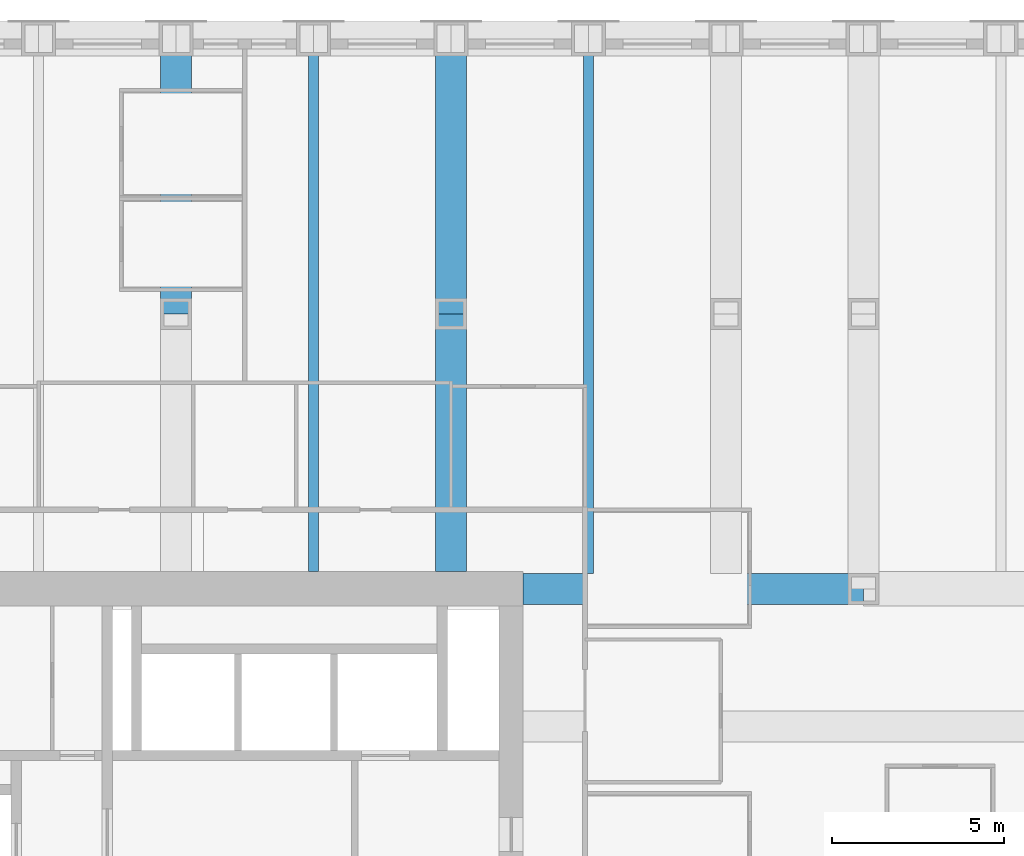
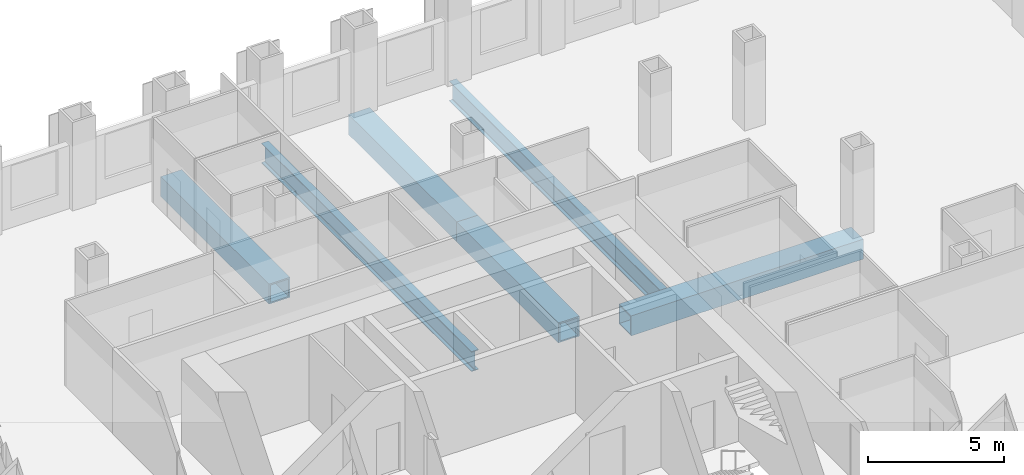
# One storey, part 7 of 16: 6 beams.
"""IFC4 building model written with IfcOpenShell, lengths in metres."""

from ifc_helpers import new_model, si_unit, direction, frame, origin, origin_2d, place, context, subcontext, project, spatial, hollow_rectangle, i_section, extrude, material, material_profile, profile_set, type_object, element, save


model = new_model("IFC4")

# Units and contexts
model_context = context("Model", 3, precision=1e-05, world=origin(), true_north=direction((0.0, 1.0)))
body_context = subcontext(model_context, "Body", "Model", "MODEL_VIEW")
ifc_project = project(units=[si_unit("LENGTHUNIT", "METRE"), si_unit("AREAUNIT", "SQUARE_METRE"), si_unit("VOLUMEUNIT", "CUBIC_METRE"), si_unit("PLANEANGLEUNIT", "RADIAN"), si_unit("MASSUNIT", "GRAM", prefix="KILO")], contexts=[model_context])

# Site, building, storey
site_placement = place(None, origin())
site = spatial("IfcSite", under=ifc_project, at=site_placement, CompositionType="ELEMENT")
building_placement = place(site_placement, origin())
building = spatial("IfcBuilding", under=site, at=building_placement, Name="Rimbunsela Tower", CompositionType="ELEMENT")
storey_placement = place(building_placement, frame((0.0, 0.0, 129.39990234375)))
storey = spatial("IfcBuildingStorey", under=building, at=storey_placement, Name="L31", CompositionType="ELEMENT", Elevation=129.39990234375)

# Beams
ifc_material_1 = material(Name="Steel BJ 55 (fy 410 MPa)", Category="steel")
ifc_material_profile_1 = material_profile(ifc_material_1, hollow_rectangle(XDim=0.89990234375, YDim=0.89990234375, WallThickness=0.06005859375, at=origin_2d()), Name="BOX 900x900x60")
ifc_profile_set_1 = profile_set([ifc_material_profile_1], Name="Steel BJ 55 (fy 410 MPa)")
beam_type_1 = type_object("IfcBeamType", Name="Beam BOX 900x900x60", PredefinedType="BEAM", material=ifc_profile_set_1)
beam_1_placement = place(storey_placement, frame((26.0, 44.0, -0.599853515625), z_axis=(0.0, 1.0, 0.0), x_axis=(-1.0, 0.0, 0.0)))
element("IfcBeam", 1, at=beam_1_placement, inside=storey, type_object=beam_type_1, Name="Beam B1 L31", PredefinedType="BEAM", context=body_context, shape_type="SweptSolid", body=[
    extrude(hollow_rectangle(XDim=0.89990234375, YDim=0.89990234375, WallThickness=0.06005859375, at=origin_2d()), origin(), (0.0, 0.0, 1.0), 8.0),
])
beam_2_placement = place(storey_placement, frame((34.0, 36.5, -0.599853515625), z_axis=(0.0, 1.0, 0.0), x_axis=(-1.0, 0.0, 0.0)))
element("IfcBeam", 2, at=beam_2_placement, inside=storey, type_object=beam_type_1, Name="Beam B1 L31", PredefinedType="BEAM", context=body_context, shape_type="SweptSolid", body=[
    extrude(hollow_rectangle(XDim=0.89990234375, YDim=0.89990234375, WallThickness=0.06005859375, at=origin_2d()), origin(), (0.0, 0.0, 1.0), 7.5),
])
beam_3_placement = place(storey_placement, frame((34.0, 44.0, -0.599853515625), z_axis=(0.0, 1.0, 0.0), x_axis=(-1.0, 0.0, 0.0)))
element("IfcBeam", 3, at=beam_3_placement, inside=storey, type_object=beam_type_1, Name="Beam B1 L31", PredefinedType="BEAM", context=body_context, shape_type="SweptSolid", body=[
    extrude(hollow_rectangle(XDim=0.89990234375, YDim=0.89990234375, WallThickness=0.06005859375, at=origin_2d()), origin(), (0.0, 0.0, 1.0), 8.0),
])
beam_4_placement = place(storey_placement, frame((36.10009765625, 36.0, -0.599853515625), z_axis=(1.0, 0.0, 0.0), x_axis=(0.0, 1.0, 0.0)))
element("IfcBeam", 4, at=beam_4_placement, inside=storey, type_object=beam_type_1, Name="Beam B1 L31", PredefinedType="BEAM", context=body_context, shape_type="SweptSolid", body=[
    extrude(hollow_rectangle(XDim=0.89990234375, YDim=0.89990234375, WallThickness=0.06005859375, at=origin_2d()), origin(), (0.0, 0.0, 1.0), 9.89990234375),
])
ifc_material_2 = material(Name="Steel BJ 55 (fy 410 MPa)", Category="steel")
ifc_material_profile_2 = material_profile(ifc_material_2, i_section(OverallWidth=0.300048828125, OverallDepth=0.89990234375, WebThickness=0.01611328125, FlangeThickness=0.028076171875, FilletRadius=0.028076171875, at=origin_2d()), Name="H 900x300x16x28")
ifc_profile_set_2 = profile_set([ifc_material_profile_2], Name="Steel BJ 55 (fy 410 MPa)")
beam_type_2 = type_object("IfcBeamType", Name="Beam H 900x300x16x28", PredefinedType="BEAM", material=ifc_profile_set_2)
beam_5_placement = place(storey_placement, frame((30.0, 36.5, -0.599853515625), z_axis=(0.0, 1.0, 0.0), x_axis=(-1.0, 0.0, 0.0)))
element("IfcBeam", 5, at=beam_5_placement, inside=storey, type_object=beam_type_2, Name="Beam B2 L31", PredefinedType="BEAM", context=body_context, shape_type="SweptSolid", body=[
    extrude(i_section(OverallWidth=0.300048828125, OverallDepth=0.89990234375, WebThickness=0.01611328125, FlangeThickness=0.028076171875, FilletRadius=0.028076171875, at=origin_2d()), origin(), (0.0, 0.0, 1.0), 15.5),
])
beam_6_placement = place(storey_placement, frame((38.0, 36.449951171875, -0.599853515625), z_axis=(0.0, 1.0, 0.0), x_axis=(-1.0, 0.0, 0.0)))
element("IfcBeam", 6, at=beam_6_placement, inside=storey, type_object=beam_type_2, Name="Beam B2 L31", PredefinedType="BEAM", context=body_context, shape_type="SweptSolid", body=[
    extrude(i_section(OverallWidth=0.300048828125, OverallDepth=0.89990234375, WebThickness=0.01611328125, FlangeThickness=0.028076171875, FilletRadius=0.028076171875, at=origin_2d()), origin(), (0.0, 0.0, 1.0), 15.550048828125),
])

save(model, "model.ifc")
